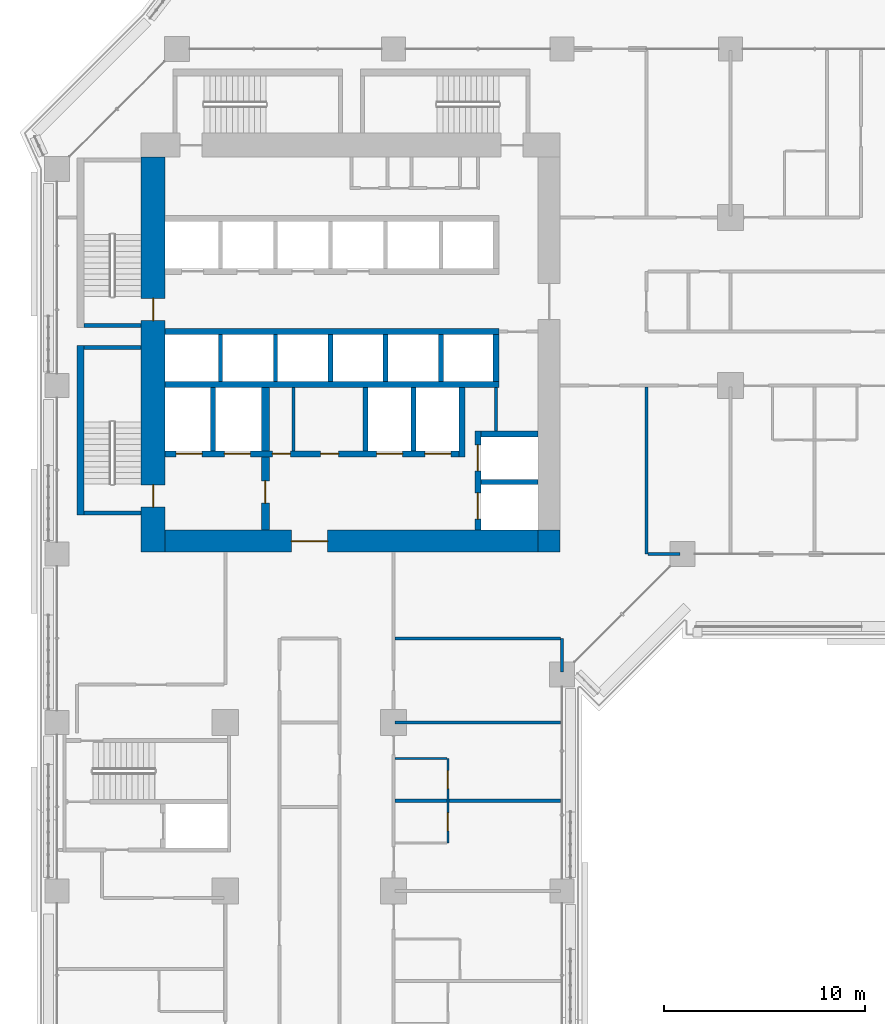
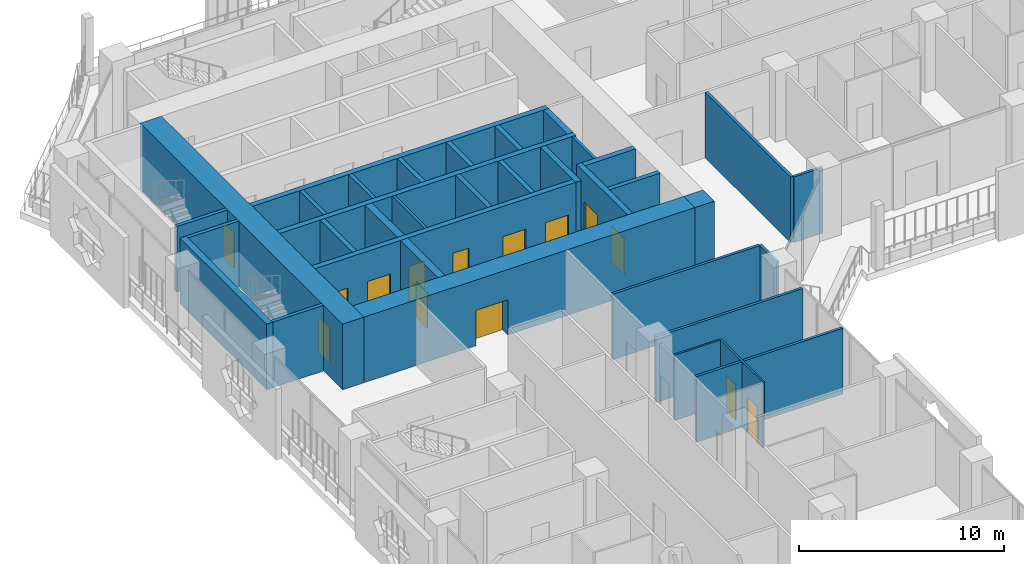
# One storey, part 15 of 29: 35 walls, 14 doors, 14 openings.
"""IFC4 building model written with IfcOpenShell, lengths in metres."""

from ifc_helpers import new_model, si_unit, direction, frame, frame_2d, origin, place, context, subcontext, project, spatial, rectangle, extrude, material, layer, layer_set, type_object, element, fill, save


model = new_model("IFC4")

# Units and contexts
model_context = context("Model", 3, precision=1e-05, world=origin(), true_north=direction((0.0, 1.0)))
body_context = subcontext(model_context, "Body", "Model", "MODEL_VIEW")
ifc_project = project(units=[si_unit("LENGTHUNIT", "METRE"), si_unit("AREAUNIT", "SQUARE_METRE"), si_unit("VOLUMEUNIT", "CUBIC_METRE"), si_unit("PLANEANGLEUNIT", "RADIAN"), si_unit("MASSUNIT", "GRAM", prefix="KILO")], contexts=[model_context])

# Site, building, storey
site_placement = place(None, origin())
site = spatial("IfcSite", under=ifc_project, at=site_placement, CompositionType="ELEMENT")
building_placement = place(site_placement, origin())
building = spatial("IfcBuilding", under=site, at=building_placement, Name="Kawkab Arch Medical Tower", CompositionType="ELEMENT")
storey_placement = place(building_placement, frame((0.0, 0.0, 64.39990234375)))
storey = spatial("IfcBuildingStorey", under=building, at=storey_placement, Name="L14", CompositionType="ELEMENT", Elevation=64.39990234375)

# Wall, opening, door
ifc_material_1 = material(Name="Concrete C60/75", Category="concrete")
ifc_layer_1 = layer(ifc_material_1, 1.10009765625)
ifc_layer_set_1 = layer_set([ifc_layer_1], Name="Concrete C60/75")
wall_type_1 = type_object("IfcWallType", Name="Core ring wall 1100 C60/75", PredefinedType="SHEAR", material=ifc_layer_set_1)
wall_1_placement = place(storey_placement, frame((5.39990234375, -24.550048828125, 0.0), z_axis=(0.0, 0.0, 1.0), x_axis=(1.0, 0.0, 0.0)))
wall_1 = element("IfcWall", 1, at=wall_1_placement, inside=storey, type_object=wall_type_1, Name="L14 core wall", PredefinedType="SHEAR", context=body_context, shape_type="SweptSolid", body=[
    extrude(rectangle(XDim=18.60009765625, YDim=1.10009765625, at=frame_2d((9.300048828125, 0.0))), origin(), (0.0, 0.0, 1.0), 3.900146484375),
])
opening_1_placement = place(wall_1_placement, frame((6.300048828125, 0.0, 0.0)))
opening_1 = element("IfcOpeningElement", 2, at=opening_1_placement, cuts=wall_1, Name="Opening PD", PredefinedType="OPENING", context=body_context, shape_type="SweptSolid", body=[
    extrude(rectangle(XDim=1.800048828125, YDim=2.10009765625, at=frame_2d((0.89990234375, 1.050048828125))), frame((0.0, 0.56005859375, 0.0), z_axis=(0.0, -1.0, 0.0), x_axis=(1.0, 0.0, 0.0)), (0.0, 0.0, 1.0), 1.1201171875),
])
ifc_material_2 = material(Name="Hollow metal fire door leaf")
door_type_1 = type_object("IfcDoorType", Name="Core entrance doors 1800", OperationType="DOUBLE_DOOR_SINGLE_SWING", PredefinedType="DOOR", material=ifc_material_2)
door_1_placement = place(opening_1_placement, origin())
door_1 = element("IfcDoor", 3, at=door_1_placement, inside=storey, type_object=door_type_1, Name="L14 South entrance doors", OperationType="DOUBLE_DOOR_SINGLE_SWING", OverallHeight=2.10009765625, OverallWidth=1.800048828125, PredefinedType="DOOR", context=body_context, shape_type="SweptSolid", body=[
    extrude(rectangle(XDim=1.800048828125, YDim=2.10009765625, at=frame_2d((0.89990234375, 1.050048828125))), frame((0.0, 0.02490234375, 0.0), z_axis=(0.0, -1.0, 0.0), x_axis=(1.0, 0.0, 0.0)), (0.0, 0.0, 1.0), 0.050048828125),
])
fill(opening_1, door_1)

# Wall
wall_2_placement = place(storey_placement, frame((24.550048828125, -25.10009765625, 0.0), z_axis=(0.0, 0.0, 1.0), x_axis=(0.0, 1.0, 0.0)))
element("IfcWall", 4, at=wall_2_placement, inside=storey, type_object=wall_type_1, Name="L14 core wall", PredefinedType="SHEAR", context=body_context, shape_type="SweptSolid", body=[
    extrude(rectangle(XDim=1.10009765625, YDim=1.10009765625, at=frame_2d((0.550048828125, 0.0))), origin(), (0.0, 0.0, 1.0), 3.900146484375),
])

# Wall, openings, doors
ifc_material_3 = material(Name="Concrete C60/75", Category="concrete")
ifc_layer_2 = layer(ifc_material_3, 1.199951171875)
ifc_layer_set_2 = layer_set([ifc_layer_2], Name="Concrete C60/75")
wall_type_2 = type_object("IfcWallType", Name="Core ring wall 1200 C60/75", PredefinedType="SHEAR", material=ifc_layer_set_2)
wall_3_placement = place(storey_placement, frame((4.800048828125, -25.10009765625, 0.0), z_axis=(0.0, 0.0, 1.0), x_axis=(0.0, 1.0, 0.0)))
wall_3 = element("IfcWall", 5, at=wall_3_placement, inside=storey, type_object=wall_type_2, Name="L14 core wall", PredefinedType="SHEAR", context=body_context, shape_type="SweptSolid", body=[
    extrude(rectangle(XDim=19.7001953125, YDim=1.199951171875, at=frame_2d((9.85009765625, 0.0))), origin(), (0.0, 0.0, 1.0), 3.900146484375),
])
opening_2_placement = place(wall_3_placement, frame((11.550048828125, 0.0, 0.0)))
opening_2 = element("IfcOpeningElement", 6, at=opening_2_placement, cuts=wall_3, Name="Opening SD", PredefinedType="OPENING", context=body_context, shape_type="SweptSolid", body=[
    extrude(rectangle(XDim=1.10009765625, YDim=2.10009765625, at=frame_2d((0.550048828125, 1.050048828125))), frame((0.0, 0.60986328125, 0.0), z_axis=(0.0, -1.0, 0.0), x_axis=(1.0, 0.0, 0.0)), (0.0, 0.0, 1.0), 1.219970703125),
])
opening_3_placement = place(wall_3_placement, frame((2.25, 0.0, 0.0)))
opening_3 = element("IfcOpeningElement", 7, at=opening_3_placement, cuts=wall_3, Name="Opening SD", PredefinedType="OPENING", context=body_context, shape_type="SweptSolid", body=[
    extrude(rectangle(XDim=1.10009765625, YDim=2.10009765625, at=frame_2d((0.550048828125, 1.050048828125))), frame((0.0, 0.60986328125, 0.0), z_axis=(0.0, -1.0, 0.0), x_axis=(1.0, 0.0, 0.0)), (0.0, 0.0, 1.0), 1.219970703125),
])
ifc_material_4 = material(Name="Hollow metal fire door leaf")
door_type_2 = type_object("IfcDoorType", Name="Exit stair door 1100", OperationType="SINGLE_SWING_LEFT", PredefinedType="DOOR", material=ifc_material_4)
door_2_placement = place(opening_2_placement, origin())
door_2 = element("IfcDoor", 8, at=door_2_placement, inside=storey, type_object=door_type_2, Name="L14 Exit stair ST1 door", OperationType="SINGLE_SWING_LEFT", OverallHeight=2.10009765625, OverallWidth=1.10009765625, PredefinedType="DOOR", context=body_context, shape_type="SweptSolid", body=[
    extrude(rectangle(XDim=1.10009765625, YDim=2.10009765625, at=frame_2d((0.550048828125, 1.050048828125))), frame((0.0, 0.02490234375, 0.0), z_axis=(0.0, -1.0, 0.0), x_axis=(1.0, 0.0, 0.0)), (0.0, 0.0, 1.0), 0.050048828125),
])
fill(opening_2, door_2)
door_3_placement = place(opening_3_placement, origin())
door_3 = element("IfcDoor", 9, at=door_3_placement, inside=storey, type_object=door_type_2, Name="L14 Exit stair ST2 door", OperationType="SINGLE_SWING_LEFT", OverallHeight=2.10009765625, OverallWidth=1.10009765625, PredefinedType="DOOR", context=body_context, shape_type="SweptSolid", body=[
    extrude(rectangle(XDim=1.10009765625, YDim=2.10009765625, at=frame_2d((0.550048828125, 1.050048828125))), frame((0.0, 0.02490234375, 0.0), z_axis=(0.0, -1.0, 0.0), x_axis=(1.0, 0.0, 0.0)), (0.0, 0.0, 1.0), 0.050048828125),
])
fill(opening_3, door_3)

# Walls
ifc_material_5 = material(Name="Gypsum board on steel studs", Category="steel")
ifc_layer_3 = layer(ifc_material_5, 0.14990234375)
ifc_layer_set_3 = layer_set([ifc_layer_3], Name="Gypsum board on steel studs")
wall_type_3 = type_object("IfcWallType", Name="Core room partition 150", PredefinedType="PARTITIONING", material=ifc_layer_set_3)
wall_4_placement = place(storey_placement, frame((21.89990234375, -19.050048828125, 0.0), z_axis=(0.0, 0.0, 1.0), x_axis=(0.0, 1.0, 0.0)))
element("IfcWall", 10, at=wall_4_placement, inside=storey, type_object=wall_type_3, Name="L14 core room partition", PredefinedType="PARTITIONING", context=body_context, shape_type="SweptSolid", body=[
    extrude(rectangle(XDim=2.150146484375, YDim=0.14990234375, at=frame_2d((1.0751953125, 0.0))), origin(), (0.0, 0.0, 1.0), 3.900146484375),
])
wall_5_placement = place(storey_placement, frame((11.800048828125, -20.050048828125, 0.0), z_axis=(0.0, 0.0, 1.0), x_axis=(0.0, 1.0, 0.0)))
element("IfcWall", 11, at=wall_5_placement, inside=storey, type_object=wall_type_3, Name="L14 core room partition", PredefinedType="PARTITIONING", context=body_context, shape_type="SweptSolid", body=[
    extrude(rectangle(XDim=3.150146484375, YDim=0.14990234375, at=frame_2d((1.5751953125, 0.0))), origin(), (0.0, 0.0, 1.0), 3.900146484375),
])
ifc_material_6 = material(Name="Concrete C60/75", Category="concrete")
ifc_layer_4 = layer(ifc_material_6, 0.25)
ifc_layer_set_4 = layer_set([ifc_layer_4], Name="Concrete C60/75")
wall_type_4 = type_object("IfcWallType", Name="Core shear wall 250 C60/75", PredefinedType="SHEAR", material=ifc_layer_set_4)
wall_6_placement = place(storey_placement, frame((21.14990234375, -21.60009765625, 0.0), z_axis=(0.0, 0.0, 1.0), x_axis=(1.0, 0.0, 0.0)))
element("IfcWall", 12, at=wall_6_placement, inside=storey, type_object=wall_type_4, Name="L14 core shear wall", PredefinedType="SHEAR", context=body_context, shape_type="SweptSolid", body=[
    extrude(rectangle(XDim=2.85009765625, YDim=0.25, at=frame_2d((1.425048828125, 0.0))), origin(), (0.0, 0.0, 1.0), 3.900146484375),
])
for number, where, z_axis, x_axis, name in (
    (13, (7.800048828125, -20.050048828125, 0.0), (0.0, 0.0, 1.0), (0.0, 1.0, 0.0), "L14 core shear wall"),
    (14, (15.39990234375, -20.050048828125, 0.0), (0.0, 0.0, 1.0), (0.0, 1.0, 0.0), "L14 core shear wall"),
    (15, (17.800048828125, -20.050048828125, 0.0), (0.0, 0.0, 1.0), (0.0, 1.0, 0.0), "L14 core shear wall"),
):
    element("IfcWall", number, at=place(storey_placement, frame(where, z_axis=z_axis, x_axis=x_axis)), inside=storey, type_object=wall_type_4, Name=name, PredefinedType="SHEAR", context=body_context, shape_type="SweptSolid", body=[
        extrude(rectangle(XDim=3.150146484375, YDim=0.25, at=frame_2d((1.5751953125, 0.0))), origin(), (0.0, 0.0, 1.0), 3.900146484375),
    ])
for number, where, z_axis, x_axis, name in (
    (16, (13.64990234375, -16.60009765625, 0.0), (0.0, 0.0, 1.0), (0.0, 1.0, 0.0), "L14 core shear wall"),
    (17, (16.39990234375, -16.60009765625, 0.0), (0.0, 0.0, 1.0), (0.0, 1.0, 0.0), "L14 core shear wall"),
    (18, (19.14990234375, -16.60009765625, 0.0), (0.0, 0.0, 1.0), (0.0, 1.0, 0.0), "L14 core shear wall"),
):
    element("IfcWall", number, at=place(storey_placement, frame(where, z_axis=z_axis, x_axis=x_axis)), inside=storey, type_object=wall_type_4, Name=name, PredefinedType="SHEAR", context=body_context, shape_type="SweptSolid", body=[
        extrude(rectangle(XDim=2.35009765625, YDim=0.25, at=frame_2d((1.175048828125, 0.0))), origin(), (0.0, 0.0, 1.0), 3.900146484375),
    ])
ifc_material_7 = material(Name="Concrete C60/75", Category="concrete")
ifc_layer_5 = layer(ifc_material_7, 0.300048828125)
ifc_layer_set_5 = layer_set([ifc_layer_5], Name="Concrete C60/75")
wall_type_5 = type_object("IfcWallType", Name="Core shear wall 300 C60/75", PredefinedType="SHEAR", material=ifc_layer_set_5)
for number, where, z_axis, x_axis, name in (
    (19, (5.39990234375, -14.10009765625, 0.0), (0.0, 0.0, 1.0), (1.0, 0.0, 0.0), "L14 core shear wall"),
    (20, (5.39990234375, -16.75, 0.0), (0.0, 0.0, 1.0), (1.0, 0.0, 0.0), "L14 core shear wall"),
):
    element("IfcWall", number, at=place(storey_placement, frame(where, z_axis=z_axis, x_axis=x_axis)), inside=storey, type_object=wall_type_5, Name=name, PredefinedType="SHEAR", context=body_context, shape_type="SweptSolid", body=[
        extrude(rectangle(XDim=16.650146484375, YDim=0.300048828125, at=frame_2d((8.3251953125, 0.0))), origin(), (0.0, 0.0, 1.0), 3.900146484375),
    ])

# Wall, openings, doors
wall_7_placement = place(storey_placement, frame((5.39990234375, -20.199951171875, 0.0), z_axis=(0.0, 0.0, 1.0), x_axis=(1.0, 0.0, 0.0)))
wall_7 = element("IfcWall", 21, at=wall_7_placement, inside=storey, type_object=wall_type_5, Name="L14 core shear wall", PredefinedType="SHEAR", context=body_context, shape_type="SweptSolid", body=[
    extrude(rectangle(XDim=14.650146484375, YDim=0.300048828125, at=frame_2d((7.3251953125, 0.0))), origin(), (0.0, 0.0, 1.0), 3.900146484375),
])
opening_4_placement = place(wall_7_placement, frame((10.550048828125, 0.0, 0.0)))
opening_4 = element("IfcOpeningElement", 22, at=opening_4_placement, cuts=wall_7, Name="Opening LD2", PredefinedType="OPENING", context=body_context, shape_type="SweptSolid", body=[
    extrude(rectangle(XDim=1.300048828125, YDim=2.10009765625, at=frame_2d((0.64990234375, 1.050048828125))), frame((0.0, 0.159912109375, 0.0), z_axis=(0.0, -1.0, 0.0), x_axis=(1.0, 0.0, 0.0)), (0.0, 0.0, 1.0), 0.320068359375),
])
opening_5_placement = place(wall_7_placement, frame((12.949951171875, 0.0, 0.0)))
opening_5 = element("IfcOpeningElement", 23, at=opening_5_placement, cuts=wall_7, Name="Opening LD2", PredefinedType="OPENING", context=body_context, shape_type="SweptSolid", body=[
    extrude(rectangle(XDim=1.300048828125, YDim=2.10009765625, at=frame_2d((0.64990234375, 1.050048828125))), frame((0.0, 0.159912109375, 0.0), z_axis=(0.0, -1.0, 0.0), x_axis=(1.0, 0.0, 0.0)), (0.0, 0.0, 1.0), 0.320068359375),
])
opening_6_placement = place(wall_7_placement, frame((0.550048828125, 0.0, 0.0)))
opening_6 = element("IfcOpeningElement", 24, at=opening_6_placement, cuts=wall_7, Name="Opening LD2", PredefinedType="OPENING", context=body_context, shape_type="SweptSolid", body=[
    extrude(rectangle(XDim=1.300048828125, YDim=2.10009765625, at=frame_2d((0.64990234375, 1.050048828125))), frame((0.0, 0.159912109375, 0.0), z_axis=(0.0, -1.0, 0.0), x_axis=(1.0, 0.0, 0.0)), (0.0, 0.0, 1.0), 0.320068359375),
])
opening_7_placement = place(wall_7_placement, frame((2.949951171875, 0.0, 0.0)))
opening_7 = element("IfcOpeningElement", 25, at=opening_7_placement, cuts=wall_7, Name="Opening LD2", PredefinedType="OPENING", context=body_context, shape_type="SweptSolid", body=[
    extrude(rectangle(XDim=1.300048828125, YDim=2.10009765625, at=frame_2d((0.64990234375, 1.050048828125))), frame((0.0, 0.159912109375, 0.0), z_axis=(0.0, -1.0, 0.0), x_axis=(1.0, 0.0, 0.0)), (0.0, 0.0, 1.0), 0.320068359375),
])
opening_8_placement = place(wall_7_placement, frame((5.35009765625, 0.0, 0.0)))
opening_8 = element("IfcOpeningElement", 26, at=opening_8_placement, cuts=wall_7, Name="Opening RD", PredefinedType="OPENING", context=body_context, shape_type="SweptSolid", body=[
    extrude(rectangle(XDim=0.89990234375, YDim=2.10009765625, at=frame_2d((0.449951171875, 1.050048828125))), frame((0.0, 0.159912109375, 0.0), z_axis=(0.0, -1.0, 0.0), x_axis=(1.0, 0.0, 0.0)), (0.0, 0.0, 1.0), 0.320068359375),
])
opening_9_placement = place(wall_7_placement, frame((7.75, 0.0, 0.0)))
opening_9 = element("IfcOpeningElement", 27, at=opening_9_placement, cuts=wall_7, Name="Opening RD", PredefinedType="OPENING", context=body_context, shape_type="SweptSolid", body=[
    extrude(rectangle(XDim=0.89990234375, YDim=2.10009765625, at=frame_2d((0.449951171875, 1.050048828125))), frame((0.0, 0.159912109375, 0.0), z_axis=(0.0, -1.0, 0.0), x_axis=(1.0, 0.0, 0.0)), (0.0, 0.0, 1.0), 0.320068359375),
])
ifc_material_8 = material(Name="Hollow metal fire door leaf")
door_type_3 = type_object("IfcDoorType", Name="Core room door 900", OperationType="SINGLE_SWING_LEFT", PredefinedType="DOOR", material=ifc_material_8)
door_4_placement = place(opening_8_placement, origin())
door_4 = element("IfcDoor", 28, at=door_4_placement, inside=storey, type_object=door_type_3, Name="L14 Equipment store door", OperationType="SINGLE_SWING_LEFT", OverallHeight=2.10009765625, OverallWidth=0.89990234375, PredefinedType="DOOR", context=body_context, shape_type="SweptSolid", body=[
    extrude(rectangle(XDim=0.89990234375, YDim=2.10009765625, at=frame_2d((0.449951171875, 1.050048828125))), frame((0.0, 0.02490234375, 0.0), z_axis=(0.0, -1.0, 0.0), x_axis=(1.0, 0.0, 0.0)), (0.0, 0.0, 1.0), 0.050048828125),
])
fill(opening_8, door_4)
door_5_placement = place(opening_9_placement, origin())
door_5 = element("IfcDoor", 29, at=door_5_placement, inside=storey, type_object=door_type_3, Name="L14 Medication store door", OperationType="SINGLE_SWING_LEFT", OverallHeight=2.10009765625, OverallWidth=0.89990234375, PredefinedType="DOOR", context=body_context, shape_type="SweptSolid", body=[
    extrude(rectangle(XDim=0.89990234375, YDim=2.10009765625, at=frame_2d((0.449951171875, 1.050048828125))), frame((0.0, 0.02490234375, 0.0), z_axis=(0.0, -1.0, 0.0), x_axis=(1.0, 0.0, 0.0)), (0.0, 0.0, 1.0), 0.050048828125),
])
fill(opening_9, door_5)
ifc_material_9 = material(Name="Stainless steel lift door leaf", Category="steel")
door_type_4 = type_object("IfcDoorType", Name="Lift landing door 1300", OperationType="DOUBLE_DOOR_SLIDING", PredefinedType="DOOR", material=ifc_material_9)
door_6_placement = place(opening_4_placement, origin())
door_6 = element("IfcDoor", 30, at=door_6_placement, inside=storey, type_object=door_type_4, Name="L14 Lift landing door BD3", OperationType="DOUBLE_DOOR_SLIDING", OverallHeight=2.10009765625, OverallWidth=1.300048828125, PredefinedType="DOOR", context=body_context, shape_type="SweptSolid", body=[
    extrude(rectangle(XDim=1.300048828125, YDim=2.10009765625, at=frame_2d((0.64990234375, 1.050048828125))), frame((0.0, 0.02490234375, 0.0), z_axis=(0.0, -1.0, 0.0), x_axis=(1.0, 0.0, 0.0)), (0.0, 0.0, 1.0), 0.050048828125),
])
fill(opening_4, door_6)
door_7_placement = place(opening_5_placement, origin())
door_7 = element("IfcDoor", 31, at=door_7_placement, inside=storey, type_object=door_type_4, Name="L14 Lift landing door BD4", OperationType="DOUBLE_DOOR_SLIDING", OverallHeight=2.10009765625, OverallWidth=1.300048828125, PredefinedType="DOOR", context=body_context, shape_type="SweptSolid", body=[
    extrude(rectangle(XDim=1.300048828125, YDim=2.10009765625, at=frame_2d((0.64990234375, 1.050048828125))), frame((0.0, 0.02490234375, 0.0), z_axis=(0.0, -1.0, 0.0), x_axis=(1.0, 0.0, 0.0)), (0.0, 0.0, 1.0), 0.050048828125),
])
fill(opening_5, door_7)
door_8_placement = place(opening_6_placement, origin())
door_8 = element("IfcDoor", 32, at=door_8_placement, inside=storey, type_object=door_type_4, Name="L14 Lift landing door FL1", OperationType="DOUBLE_DOOR_SLIDING", OverallHeight=2.10009765625, OverallWidth=1.300048828125, PredefinedType="DOOR", context=body_context, shape_type="SweptSolid", body=[
    extrude(rectangle(XDim=1.300048828125, YDim=2.10009765625, at=frame_2d((0.64990234375, 1.050048828125))), frame((0.0, 0.02490234375, 0.0), z_axis=(0.0, -1.0, 0.0), x_axis=(1.0, 0.0, 0.0)), (0.0, 0.0, 1.0), 0.050048828125),
])
fill(opening_6, door_8)
door_9_placement = place(opening_7_placement, origin())
door_9 = element("IfcDoor", 33, at=door_9_placement, inside=storey, type_object=door_type_4, Name="L14 Lift landing door FL2", OperationType="DOUBLE_DOOR_SLIDING", OverallHeight=2.10009765625, OverallWidth=1.300048828125, PredefinedType="DOOR", context=body_context, shape_type="SweptSolid", body=[
    extrude(rectangle(XDim=1.300048828125, YDim=2.10009765625, at=frame_2d((0.64990234375, 1.050048828125))), frame((0.0, 0.02490234375, 0.0), z_axis=(0.0, -1.0, 0.0), x_axis=(1.0, 0.0, 0.0)), (0.0, 0.0, 1.0), 0.050048828125),
])
fill(opening_7, door_9)

# Walls
wall_8_placement = place(storey_placement, frame((20.199951171875, -20.35009765625, 0.0), z_axis=(0.0, 0.0, 1.0), x_axis=(0.0, 1.0, 0.0)))
element("IfcWall", 34, at=wall_8_placement, inside=storey, type_object=wall_type_5, Name="L14 core shear wall", PredefinedType="SHEAR", context=body_context, shape_type="SweptSolid", body=[
    extrude(rectangle(XDim=3.4501953125, YDim=0.300048828125, at=frame_2d((1.72509765625, 0.0))), origin(), (0.0, 0.0, 1.0), 3.900146484375),
])
wall_9_placement = place(storey_placement, frame((21.89990234375, -16.60009765625, 0.0), z_axis=(0.0, 0.0, 1.0), x_axis=(0.0, 1.0, 0.0)))
element("IfcWall", 35, at=wall_9_placement, inside=storey, type_object=wall_type_5, Name="L14 core shear wall", PredefinedType="SHEAR", context=body_context, shape_type="SweptSolid", body=[
    extrude(rectangle(XDim=2.35009765625, YDim=0.300048828125, at=frame_2d((1.175048828125, 0.0))), origin(), (0.0, 0.0, 1.0), 3.900146484375),
])
wall_10_placement = place(storey_placement, frame((21.14990234375, -19.199951171875, 0.0), z_axis=(0.0, 0.0, 1.0), x_axis=(1.0, 0.0, 0.0)))
element("IfcWall", 36, at=wall_10_placement, inside=storey, type_object=wall_type_5, Name="L14 core shear wall", PredefinedType="SHEAR", context=body_context, shape_type="SweptSolid", body=[
    extrude(rectangle(XDim=2.85009765625, YDim=0.300048828125, at=frame_2d((1.425048828125, 0.0))), origin(), (0.0, 0.0, 1.0), 3.900146484375),
])

# Wall, openings, doors
wall_11_placement = place(storey_placement, frame((21.0, -24.0, 0.0), z_axis=(0.0, 0.0, 1.0), x_axis=(0.0, 1.0, 0.0)))
wall_11 = element("IfcWall", 37, at=wall_11_placement, inside=storey, type_object=wall_type_5, Name="L14 core shear wall", PredefinedType="SHEAR", context=body_context, shape_type="SweptSolid", body=[
    extrude(rectangle(XDim=4.949951171875, YDim=0.300048828125, at=frame_2d((2.47509765625, 0.0))), origin(), (0.0, 0.0, 1.0), 3.900146484375),
])
opening_10_placement = place(wall_11_placement, frame((2.949951171875, 0.0, 0.0)))
opening_10 = element("IfcOpeningElement", 38, at=opening_10_placement, cuts=wall_11, Name="Opening LD2", PredefinedType="OPENING", context=body_context, shape_type="SweptSolid", body=[
    extrude(rectangle(XDim=1.300048828125, YDim=2.10009765625, at=frame_2d((0.64990234375, 1.050048828125))), frame((0.0, 0.159912109375, 0.0), z_axis=(0.0, -1.0, 0.0), x_axis=(1.0, 0.0, 0.0)), (0.0, 0.0, 1.0), 0.320068359375),
])
opening_11_placement = place(wall_11_placement, frame((0.550048828125, 0.0, 0.0)))
opening_11 = element("IfcOpeningElement", 39, at=opening_11_placement, cuts=wall_11, Name="Opening LD2", PredefinedType="OPENING", context=body_context, shape_type="SweptSolid", body=[
    extrude(rectangle(XDim=1.300048828125, YDim=2.10009765625, at=frame_2d((0.64990234375, 1.050048828125))), frame((0.0, 0.159912109375, 0.0), z_axis=(0.0, -1.0, 0.0), x_axis=(1.0, 0.0, 0.0)), (0.0, 0.0, 1.0), 0.320068359375),
])
door_10_placement = place(opening_10_placement, origin())
door_10 = element("IfcDoor", 40, at=door_10_placement, inside=storey, type_object=door_type_4, Name="L14 Lift landing door BD1", OperationType="DOUBLE_DOOR_SLIDING", OverallHeight=2.10009765625, OverallWidth=1.300048828125, PredefinedType="DOOR", context=body_context, shape_type="SweptSolid", body=[
    extrude(rectangle(XDim=1.300048828125, YDim=2.10009765625, at=frame_2d((0.64990234375, 1.050048828125))), frame((0.0, 0.02490234375, 0.0), z_axis=(0.0, -1.0, 0.0), x_axis=(1.0, 0.0, 0.0)), (0.0, 0.0, 1.0), 0.050048828125),
])
fill(opening_10, door_10)
door_11_placement = place(opening_11_placement, origin())
door_11 = element("IfcDoor", 41, at=door_11_placement, inside=storey, type_object=door_type_4, Name="L14 Lift landing door BD2", OperationType="DOUBLE_DOOR_SLIDING", OverallHeight=2.10009765625, OverallWidth=1.300048828125, PredefinedType="DOOR", context=body_context, shape_type="SweptSolid", body=[
    extrude(rectangle(XDim=1.300048828125, YDim=2.10009765625, at=frame_2d((0.64990234375, 1.050048828125))), frame((0.0, 0.02490234375, 0.0), z_axis=(0.0, -1.0, 0.0), x_axis=(1.0, 0.0, 0.0)), (0.0, 0.0, 1.0), 0.050048828125),
])
fill(opening_11, door_11)

# Wall, opening, door
ifc_material_10 = material(Name="Concrete C60/75", Category="concrete")
ifc_layer_6 = layer(ifc_material_10, 0.39990234375)
ifc_layer_set_6 = layer_set([ifc_layer_6], Name="Concrete C60/75")
wall_type_6 = type_object("IfcWallType", Name="Core shear wall 400 C60/75", PredefinedType="SHEAR", material=ifc_layer_set_6)
wall_12_placement = place(storey_placement, frame((10.39990234375, -24.0, 0.0), z_axis=(0.0, 0.0, 1.0), x_axis=(0.0, 1.0, 0.0)))
wall_12 = element("IfcWall", 42, at=wall_12_placement, inside=storey, type_object=wall_type_6, Name="L14 core shear wall", PredefinedType="SHEAR", context=body_context, shape_type="SweptSolid", body=[
    extrude(rectangle(XDim=3.64990234375, YDim=0.39990234375, at=frame_2d((1.824951171875, 0.0))), origin(), (0.0, 0.0, 1.0), 3.900146484375),
])
opening_12_placement = place(wall_12_placement, frame((1.35009765625, 0.0, 0.0)))
opening_12 = element("IfcOpeningElement", 43, at=opening_12_placement, cuts=wall_12, Name="Opening FD", PredefinedType="OPENING", context=body_context, shape_type="SweptSolid", body=[
    extrude(rectangle(XDim=1.10009765625, YDim=2.10009765625, at=frame_2d((0.550048828125, 1.050048828125))), frame((0.0, 0.2099609375, 0.0), z_axis=(0.0, -1.0, 0.0), x_axis=(1.0, 0.0, 0.0)), (0.0, 0.0, 1.0), 0.419921875),
])
ifc_material_11 = material(Name="Hollow metal fire door leaf")
door_type_5 = type_object("IfcDoorType", Name="Firefighting lobby door 1100", OperationType="SINGLE_SWING_LEFT", PredefinedType="DOOR", material=ifc_material_11)
door_12_placement = place(opening_12_placement, origin())
door_12 = element("IfcDoor", 44, at=door_12_placement, inside=storey, type_object=door_type_5, Name="L14 Firefighting lobby door", OperationType="SINGLE_SWING_LEFT", OverallHeight=2.10009765625, OverallWidth=1.10009765625, PredefinedType="DOOR", context=body_context, shape_type="SweptSolid", body=[
    extrude(rectangle(XDim=1.10009765625, YDim=2.10009765625, at=frame_2d((0.550048828125, 1.050048828125))), frame((0.0, 0.02490234375, 0.0), z_axis=(0.0, -1.0, 0.0), x_axis=(1.0, 0.0, 0.0)), (0.0, 0.0, 1.0), 0.050048828125),
])
fill(opening_12, door_12)

# Walls
wall_13_placement = place(storey_placement, frame((10.39990234375, -20.050048828125, 0.0), z_axis=(0.0, 0.0, 1.0), x_axis=(0.0, 1.0, 0.0)))
element("IfcWall", 45, at=wall_13_placement, inside=storey, type_object=wall_type_6, Name="L14 core shear wall", PredefinedType="SHEAR", context=body_context, shape_type="SweptSolid", body=[
    extrude(rectangle(XDim=3.150146484375, YDim=0.39990234375, at=frame_2d((1.5751953125, 0.0))), origin(), (0.0, 0.0, 1.0), 3.900146484375),
])
ifc_material_12 = material(Name="Dense concrete blockwork", Category="masonry")
ifc_layer_7 = layer(ifc_material_12, 0.199951171875)
ifc_layer_set_7 = layer_set([ifc_layer_7], Name="Dense concrete blockwork")
wall_type_7 = type_object("IfcWallType", Name="Lift shaft partition 200", PredefinedType="PARTITIONING", material=ifc_layer_set_7)
for number, where, z_axis, x_axis, name in (
    (46, (8.14990234375, -16.60009765625, 0.0), (0.0, 0.0, 1.0), (0.0, 1.0, 0.0), "L14 lift shaft partition"),
    (47, (10.89990234375, -16.60009765625, 0.0), (0.0, 0.0, 1.0), (0.0, 1.0, 0.0), "L14 lift shaft partition"),
):
    element("IfcWall", number, at=place(storey_placement, frame(where, z_axis=z_axis, x_axis=x_axis)), inside=storey, type_object=wall_type_7, Name=name, PredefinedType="PARTITIONING", context=body_context, shape_type="SweptSolid", body=[
        extrude(rectangle(XDim=2.35009765625, YDim=0.199951171875, at=frame_2d((1.175048828125, 0.0))), origin(), (0.0, 0.0, 1.0), 3.900146484375),
    ])
ifc_material_13 = material(Name="Gypsum board partition on steel studs", Category="steel")
ifc_layer_8 = layer(ifc_material_13, 0.10009765625)
ifc_layer_set_8 = layer_set([ifc_layer_8], Name="Gypsum board partition on steel studs")
wall_type_8 = type_object("IfcWallType", Name="Partition 100", PredefinedType="PARTITIONING", material=ifc_layer_set_8)
wall_14_placement = place(storey_placement, frame((16.875, -35.39990234375, 0.0), z_axis=(0.0, 0.0, 1.0), x_axis=(1.0, 0.0, 0.0)))
element("IfcWall", 48, at=wall_14_placement, inside=storey, type_object=wall_type_8, Name="Partition 100 w009", PredefinedType="PARTITIONING", context=body_context, shape_type="SweptSolid", body=[
    extrude(rectangle(XDim=2.574951171875, YDim=0.10009765625, at=frame_2d((1.28759765625, 0.0))), origin(), (0.0, 0.0, 1.0), 3.900146484375),
])

# Wall, openings, doors
wall_15_placement = place(storey_placement, frame((19.5, -39.60009765625, 0.0), z_axis=(0.0, 0.0, 1.0), x_axis=(0.0, 1.0, 0.0)))
wall_15 = element("IfcWall", 49, at=wall_15_placement, inside=storey, type_object=wall_type_8, Name="Partition 100 w024", PredefinedType="PARTITIONING", context=body_context, shape_type="SweptSolid", body=[
    extrude(rectangle(XDim=4.2001953125, YDim=0.10009765625, at=frame_2d((2.10009765625, 0.0))), origin(), (0.0, 0.0, 1.0), 3.900146484375),
])
opening_13_placement = place(wall_15_placement, frame((2.699951171875, 0.0, 0.0)))
opening_13 = element("IfcOpeningElement", 50, at=opening_13_placement, cuts=wall_15, Name="Opening W14-022", PredefinedType="OPENING", context=body_context, shape_type="SweptSolid", body=[
    extrude(rectangle(XDim=0.89990234375, YDim=2.10009765625, at=frame_2d((0.449951171875, 1.050048828125))), frame((0.0, 0.06005859375, 0.0), z_axis=(0.0, -1.0, 0.0), x_axis=(1.0, 0.0, 0.0)), (0.0, 0.0, 1.0), 0.1201171875),
])
opening_14_placement = place(wall_15_placement, frame((0.60009765625, 0.0, 0.0)))
opening_14 = element("IfcOpeningElement", 51, at=opening_14_placement, cuts=wall_15, Name="Opening W14-023", PredefinedType="OPENING", context=body_context, shape_type="SweptSolid", body=[
    extrude(rectangle(XDim=0.89990234375, YDim=2.10009765625, at=frame_2d((0.449951171875, 1.050048828125))), frame((0.0, 0.06005859375, 0.0), z_axis=(0.0, -1.0, 0.0), x_axis=(1.0, 0.0, 0.0)), (0.0, 0.0, 1.0), 0.1201171875),
])
ifc_material_14 = material(Name="Timber door leaf", Category="wood")
door_type_6 = type_object("IfcDoorType", Name="Single door 900x2100", OperationType="NOTDEFINED", PredefinedType="DOOR", material=ifc_material_14)
door_13_placement = place(opening_13_placement, origin())
door_13 = element("IfcDoor", 52, at=door_13_placement, inside=storey, type_object=door_type_6, Name="Door W14-022", OperationType="SINGLE_SWING_LEFT", OverallHeight=2.10009765625, OverallWidth=0.89990234375, PredefinedType="DOOR", context=body_context, shape_type="SweptSolid", body=[
    extrude(rectangle(XDim=0.89990234375, YDim=2.10009765625, at=frame_2d((0.449951171875, 1.050048828125))), frame((0.0, 0.02490234375, 0.0), z_axis=(0.0, -1.0, 0.0), x_axis=(1.0, 0.0, 0.0)), (0.0, 0.0, 1.0), 0.050048828125),
])
fill(opening_13, door_13)
door_14_placement = place(opening_14_placement, origin())
door_14 = element("IfcDoor", 53, at=door_14_placement, inside=storey, type_object=door_type_6, Name="Door W14-023", OperationType="SINGLE_SWING_RIGHT", OverallHeight=2.10009765625, OverallWidth=0.89990234375, PredefinedType="DOOR", context=body_context, shape_type="SweptSolid", body=[
    extrude(rectangle(XDim=0.89990234375, YDim=2.10009765625, at=frame_2d((0.449951171875, 1.050048828125))), frame((0.0, 0.02490234375, 0.0), z_axis=(0.0, -1.0, 0.0), x_axis=(1.0, 0.0, 0.0)), (0.0, 0.0, 1.0), 0.050048828125),
])
fill(opening_14, door_14)

# Walls
ifc_material_15 = material(Name="Gypsum board partition on steel studs, mineral wool", Category="steel")
ifc_layer_9 = layer(ifc_material_15, 0.14990234375)
ifc_layer_set_9 = layer_set([ifc_layer_9], Name="Gypsum board partition on steel studs, mineral wool")
wall_type_9 = type_object("IfcWallType", Name="Partition 150", PredefinedType="PARTITIONING", material=ifc_layer_set_9)
for number, where, z_axis, x_axis, name in (
    (54, (16.875, -37.5, 0.0), (0.0, 0.0, 1.0), (1.0, 0.0, 0.0), "Partition 150 w055"),
    (55, (16.875, -33.60009765625, 0.0), (0.0, 0.0, 1.0), (1.0, 0.0, 0.0), "Partition 150 w057"),
):
    element("IfcWall", number, at=place(storey_placement, frame(where, z_axis=z_axis, x_axis=x_axis)), inside=storey, type_object=wall_type_9, Name=name, PredefinedType="PARTITIONING", context=body_context, shape_type="SweptSolid", body=[
        extrude(rectangle(XDim=8.2451171875, YDim=0.14990234375, at=frame_2d((4.12255859375, 0.0))), origin(), (0.0, 0.0, 1.0), 3.900146484375),
    ])
wall_16_placement = place(storey_placement, frame((16.875, -29.39990234375, 0.0), z_axis=(0.0, 0.0, 1.0), x_axis=(1.0, 0.0, 0.0)))
element("IfcWall", 56, at=wall_16_placement, inside=storey, type_object=wall_type_9, Name="Partition 150 w060", PredefinedType="PARTITIONING", context=body_context, shape_type="SweptSolid", body=[
    extrude(rectangle(XDim=8.25, YDim=0.14990234375, at=frame_2d((4.125, 0.0))), origin(), (0.0, 0.0, 1.0), 3.900146484375),
])
wall_17_placement = place(storey_placement, frame((29.47509765625, -25.199951171875, 0.0), z_axis=(0.0, 0.0, 1.0), x_axis=(1.0, 0.0, 0.0)))
element("IfcWall", 57, at=wall_17_placement, inside=storey, type_object=wall_type_9, Name="Partition 150 w061", PredefinedType="PARTITIONING", context=body_context, shape_type="SweptSolid", body=[
    extrude(rectangle(XDim=1.61181640625, YDim=0.14990234375, at=frame_2d((0.805908203125, 0.0))), origin(), (0.0, 0.0, 1.0), 3.900146484375),
])
wall_18_placement = place(storey_placement, frame((25.199951171875, -31.0869140625, 0.0), z_axis=(0.0, 0.0, 1.0), x_axis=(0.0, 1.0, 0.0)))
element("IfcWall", 58, at=wall_18_placement, inside=storey, type_object=wall_type_9, Name="Partition 150 w078", PredefinedType="PARTITIONING", context=body_context, shape_type="SweptSolid", body=[
    extrude(rectangle(XDim=1.68701171875, YDim=0.14990234375, at=frame_2d((0.843505859375, 0.0))), origin(), (0.0, 0.0, 1.0), 3.900146484375),
])
wall_19_placement = place(storey_placement, frame((29.39990234375, -25.199951171875, 0.0), z_axis=(0.0, 0.0, 1.0), x_axis=(0.0, 1.0, 0.0)))
element("IfcWall", 59, at=wall_19_placement, inside=storey, type_object=wall_type_9, Name="Partition 150 w079", PredefinedType="PARTITIONING", context=body_context, shape_type="SweptSolid", body=[
    extrude(rectangle(XDim=8.324951171875, YDim=0.14990234375, at=frame_2d((4.16259765625, 0.0))), origin(), (0.0, 0.0, 1.0), 3.900146484375),
])
ifc_material_16 = material(Name="Concrete C50/60", Category="concrete")
ifc_layer_10 = layer(ifc_material_16, 0.199951171875)
ifc_layer_set_10 = layer_set([ifc_layer_10], Name="Concrete C50/60")
wall_type_10 = type_object("IfcWallType", Name="Stair enclosure wall 200 C50/60", PredefinedType="SHEAR", material=ifc_layer_set_10)
for number, where, z_axis, x_axis, name in (
    (60, (1.35009765625, -13.800048828125, 0.0), (0.0, 0.0, 1.0), (1.0, 0.0, 0.0), "L14 stair enclosure wall"),
    (61, (1.35009765625, -14.89990234375, 0.0), (0.0, 0.0, 1.0), (1.0, 0.0, 0.0), "L14 stair enclosure wall"),
    (62, (1.35009765625, -23.14990234375, 0.0), (0.0, 0.0, 1.0), (1.0, 0.0, 0.0), "L14 stair enclosure wall"),
):
    element("IfcWall", number, at=place(storey_placement, frame(where, z_axis=z_axis, x_axis=x_axis)), inside=storey, type_object=wall_type_10, Name=name, PredefinedType="SHEAR", context=body_context, shape_type="SweptSolid", body=[
        extrude(rectangle(XDim=2.849853515625, YDim=0.199951171875, at=frame_2d((1.4248046875, 0.0))), origin(), (0.0, 0.0, 1.0), 3.900146484375),
    ])
ifc_material_17 = material(Name="Concrete C50/60", Category="concrete")
ifc_layer_11 = layer(ifc_material_17, 0.35009765625)
ifc_layer_set_11 = layer_set([ifc_layer_11], Name="Concrete C50/60")
wall_type_11 = type_object("IfcWallType", Name="Stair enclosure wall 350 C50/60", PredefinedType="SHEAR", material=ifc_layer_set_11)
wall_20_placement = place(storey_placement, frame((1.175048828125, -23.25, 0.0), z_axis=(0.0, 0.0, 1.0), x_axis=(0.0, 1.0, 0.0)))
element("IfcWall", 63, at=wall_20_placement, inside=storey, type_object=wall_type_11, Name="L14 stair enclosure wall", PredefinedType="SHEAR", context=body_context, shape_type="SweptSolid", body=[
    extrude(rectangle(XDim=8.449951171875, YDim=0.35009765625, at=frame_2d((4.22509765625, 0.0))), origin(), (0.0, 0.0, 1.0), 3.900146484375),
])

save(model, "model.ifc")
